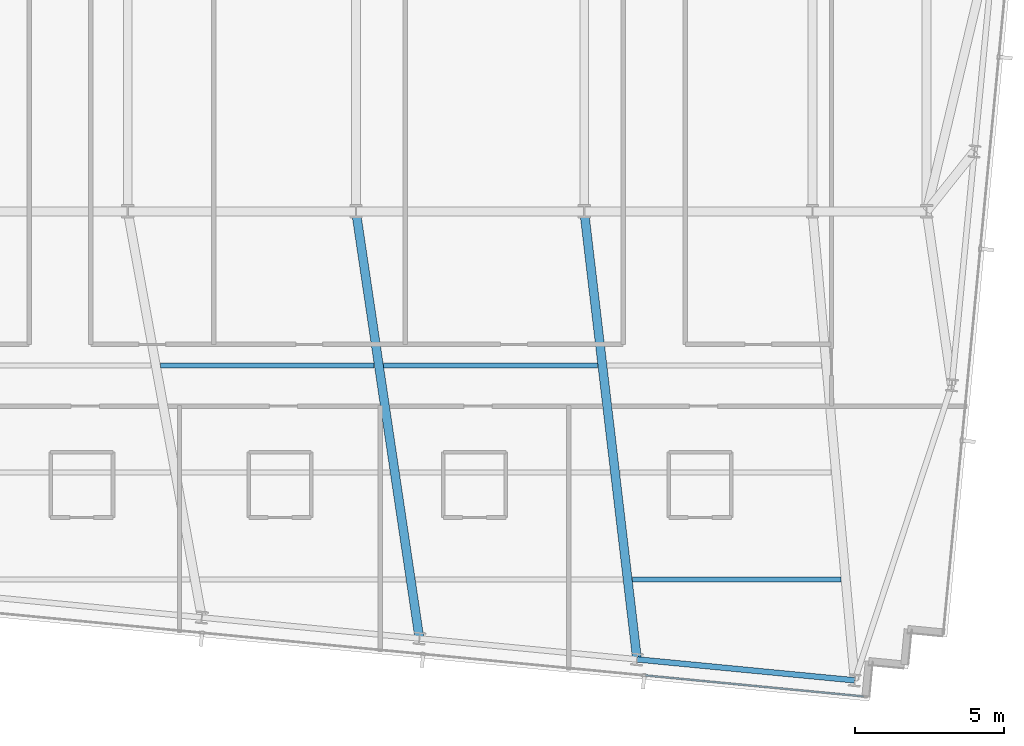
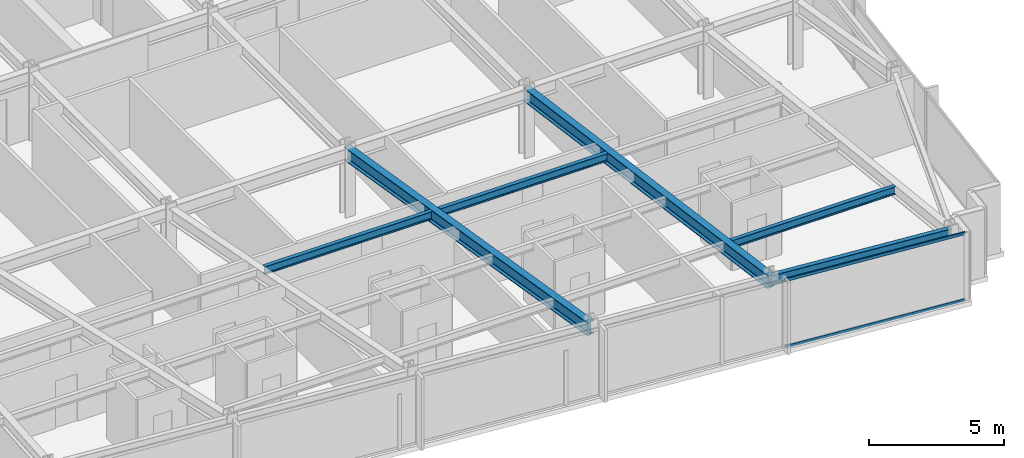
# One storey, part 13 of 36: 6 beams, 2 members, 1 element without a shape of its own.
"""IFC4 building model written with IfcOpenShell, lengths in metres."""

from ifc_helpers import new_model, si_unit, direction, frame, origin, origin_2d, place, context, subcontext, project, spatial, hollow_rectangle, i_section, extrude, material, material_profile, profile_set, type_object, element, aggregate, save


model = new_model("IFC4")

# Units and contexts
model_context = context("Model", 3, precision=1e-05, world=origin(), true_north=direction((0.0, 1.0)))
body_context = subcontext(model_context, "Body", "Model", "MODEL_VIEW")
ifc_project = project(units=[si_unit("LENGTHUNIT", "METRE"), si_unit("AREAUNIT", "SQUARE_METRE"), si_unit("VOLUMEUNIT", "CUBIC_METRE"), si_unit("PLANEANGLEUNIT", "RADIAN"), si_unit("MASSUNIT", "GRAM", prefix="KILO")], contexts=[model_context])

# Site, building, storey
site_placement = place(None, origin())
site = spatial("IfcSite", under=ifc_project, at=site_placement, CompositionType="ELEMENT")
building_placement = place(site_placement, origin())
building = spatial("IfcBuilding", under=site, at=building_placement, Name="Yelkora Congress Tower", CompositionType="ELEMENT")
storey_placement = place(building_placement, frame((0.0, 0.0, 152.300048828125)))
storey = spatial("IfcBuildingStorey", under=building, at=storey_placement, Name="L41", CompositionType="ELEMENT", Elevation=152.300048828125)

# Beams
ifc_material_1 = material(Name="Steel S355J2", Category="steel")
ifc_material_profile_1 = material_profile(ifc_material_1, i_section(OverallWidth=0.300048828125, OverallDepth=0.60009765625, WebThickness=0.015380859375, FlangeThickness=0.030029296875, FilletRadius=0.027099609375, at=origin_2d()), Name="HEB 600")
ifc_profile_set_1 = profile_set([ifc_material_profile_1], Name="Steel S355J2")
beam_type_1 = type_object("IfcBeamType", Name="BM-GIRD-HEB600", PredefinedType="BEAM", material=ifc_profile_set_1)
beam_1_placement = place(storey_placement, frame((40.53564453125, 10.83154296875, 2.780029296875), z_axis=(-0.147026183693, 0.989132600468, 0.0), x_axis=(-0.989132600468, -0.147026183693, 0.0)))
element("IfcBeam", 1, at=beam_1_placement, inside=storey, type_object=beam_type_1, Name="L41 Primary Frame Girder S06", PredefinedType="BEAM", context=body_context, shape_type="SweptSolid", body=[
    extrude(i_section(OverallWidth=0.300048828125, OverallDepth=0.60009765625, WebThickness=0.015380859375, FlangeThickness=0.030029296875, FilletRadius=0.027099609375, at=origin_2d()), origin(), (0.0, 0.0, 1.0), 14.5263671875),
])
beam_2_placement = place(storey_placement, frame((47.85888671875, 10.12646484375, 2.780029296875), z_axis=(-0.117195880411, 0.993108818617, 0.0), x_axis=(-0.993108818617, -0.117195880411, 0.0)))
element("IfcBeam", 2, at=beam_2_placement, inside=storey, type_object=beam_type_1, Name="L41 Primary Frame Girder S07", PredefinedType="BEAM", context=body_context, shape_type="SweptSolid", body=[
    extrude(i_section(OverallWidth=0.300048828125, OverallDepth=0.60009765625, WebThickness=0.015380859375, FlangeThickness=0.030029296875, FilletRadius=0.027099609375, at=origin_2d()), origin(), (0.0, 0.0, 1.0), 15.177978515625),
])
ifc_material_profile_2 = material_profile(ifc_material_1, i_section(OverallWidth=0.169921875, OverallDepth=0.360107421875, WebThickness=0.008056640625, FlangeThickness=0.0126953125, FilletRadius=0.01806640625, at=origin_2d()), Name="IPE 360")
ifc_profile_set_2 = profile_set([ifc_material_profile_2], Name="Steel S355J2")
beam_type_2 = type_object("IfcBeamType", Name="BM-JOIST-IPE360", PredefinedType="JOIST", material=ifc_profile_set_2)
beam_3_placement = place(storey_placement, frame((47.700927734375, 12.8212890625, 2.89990234375), z_axis=(1.0, 0.0, 0.0), x_axis=(0.0, 1.0, 0.0)))
element("IfcBeam", 3, at=beam_3_placement, inside=storey, type_object=beam_type_2, Name="L41 Composite Floor Joist 4", PredefinedType="JOIST", context=body_context, shape_type="SweptSolid", body=[
    extrude(i_section(OverallWidth=0.169921875, OverallDepth=0.360107421875, WebThickness=0.008056640625, FlangeThickness=0.0126953125, FilletRadius=0.01806640625, at=origin_2d()), origin(), (0.0, 0.0, 1.0), 7.014892578125),
])
beam_4_placement = place(storey_placement, frame((31.82470703125, 20.021240234375, 2.89990234375), z_axis=(1.0, 0.0, 0.0), x_axis=(0.0, 1.0, 0.0)))
element("IfcBeam", 4, at=beam_4_placement, inside=storey, type_object=beam_type_2, Name="L41 Composite Floor Joist 16", PredefinedType="JOIST", context=body_context, shape_type="SweptSolid", body=[
    extrude(i_section(OverallWidth=0.169921875, OverallDepth=0.360107421875, WebThickness=0.008056640625, FlangeThickness=0.0126953125, FilletRadius=0.01806640625, at=origin_2d()), origin(), (0.0, 0.0, 1.0), 7.18505859375),
])
beam_5_placement = place(storey_placement, frame((39.32958984375, 20.021240234375, 2.89990234375), z_axis=(1.0, 0.0, 0.0), x_axis=(0.0, 1.0, 0.0)))
element("IfcBeam", 5, at=beam_5_placement, inside=storey, type_object=beam_type_2, Name="L41 Composite Floor Joist 17", PredefinedType="JOIST", context=body_context, shape_type="SweptSolid", body=[
    extrude(i_section(OverallWidth=0.169921875, OverallDepth=0.360107421875, WebThickness=0.008056640625, FlangeThickness=0.0126953125, FilletRadius=0.01806640625, at=origin_2d()), origin(), (0.0, 0.0, 1.0), 7.20166015625),
])
ifc_material_profile_3 = material_profile(ifc_material_1, i_section(OverallWidth=0.18994140625, OverallDepth=0.449951171875, WebThickness=0.009521484375, FlangeThickness=0.0146484375, FilletRadius=0.02099609375, at=origin_2d()), Name="IPE 450")
ifc_profile_set_3 = profile_set([ifc_material_profile_3], Name="Steel S355J2")
beam_type_3 = type_object("IfcBeamType", Name="BM-SPAN-IPE450", PredefinedType="SPANDREL", material=ifc_profile_set_3)
beam_6_placement = place(storey_placement, frame((47.85888671875, 10.12646484375, 2.85498046875), z_axis=(0.995393938538, -0.095869218844, 0.0), x_axis=(0.095869218844, 0.995393938538, 0.0)))
element("IfcBeam", 6, at=beam_6_placement, inside=storey, type_object=beam_type_3, Name="L41 Perimeter Beam 8", PredefinedType="SPANDREL", context=body_context, shape_type="SweptSolid", body=[
    extrude(i_section(OverallWidth=0.18994140625, OverallDepth=0.449951171875, WebThickness=0.009521484375, FlangeThickness=0.0146484375, FilletRadius=0.02099609375, at=origin_2d()), origin(), (0.0, 0.0, 1.0), 7.357177734375),
])

# Curtain wall, members
ifc_material_2 = material(Name="Anodised aluminium and insulated glass", Category="aluminium")
curtain_wall_type = type_object("IfcCurtainWallType", Name="CW-SYS-B3", PredefinedType="NOTDEFINED", material=ifc_material_2)
curtain_wall_placement = place(storey_placement, origin())
curtain_wall = element("IfcCurtainWall", 7, at=curtain_wall_placement, inside=storey, type_object=curtain_wall_type, Name="L41 Unitised Curtain Wall 20", PredefinedType="NOTDEFINED")
ifc_material_3 = material(Name="Anodised aluminium 6063-T6", Category="aluminium")
ifc_material_profile_4 = material_profile(ifc_material_3, hollow_rectangle(XDim=0.06005859375, YDim=0.1298828125, WallThickness=0.00390625, at=origin_2d()), Name="ALU 60x130x4")
ifc_profile_set_4 = profile_set([ifc_material_profile_4], Name="Anodised aluminium 6063-T6")
member_type = type_object("IfcMemberType", Name="MEM-TR-B3", PredefinedType="USERDEFINED", material=ifc_profile_set_4)
member_1_placement = place(storey_placement, frame((55.4716796875, 8.881103515625, 0.030029296875), z_axis=(-0.995396212442, 0.095845606344, 0.0), x_axis=(-0.095845606344, -0.995396212442, 0.0)))
member_1 = element("IfcMember", 8, at=member_1_placement, type_object=member_type, Name="CW-B3 transom 1.1", ObjectType="TRANSOM", PredefinedType="USERDEFINED", context=body_context, shape_type="SweptSolid", body=[
    extrude(hollow_rectangle(XDim=0.06005859375, YDim=0.1298828125, WallThickness=0.00390625, at=origin_2d()), origin(), (0.0, 0.0, 1.0), 7.369140625),
])
member_2_placement = place(storey_placement, frame((55.4716796875, 8.881103515625, 3.050048828125), z_axis=(-0.995396212442, 0.095845606344, 0.0), x_axis=(-0.095845606344, -0.995396212442, 0.0)))
member_2 = element("IfcMember", 9, at=member_2_placement, type_object=member_type, Name="CW-B3 transom 1.2", ObjectType="TRANSOM", PredefinedType="USERDEFINED", context=body_context, shape_type="SweptSolid", body=[
    extrude(hollow_rectangle(XDim=0.06005859375, YDim=0.1298828125, WallThickness=0.00390625, at=origin_2d()), origin(), (0.0, 0.0, 1.0), 7.369140625),
])
aggregate(curtain_wall, [member_1, member_2])

save(model, "model.ifc")
